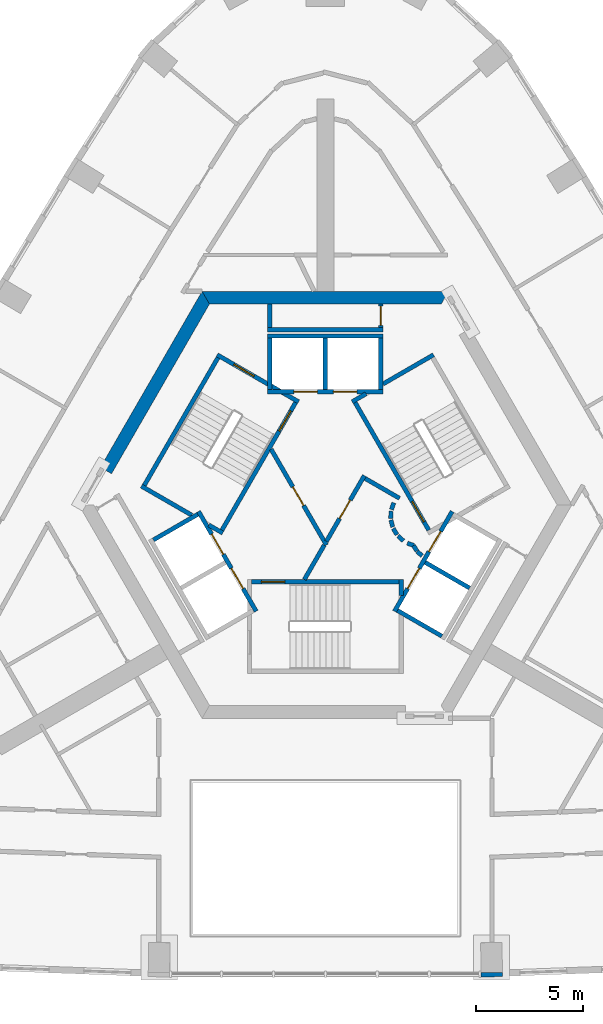
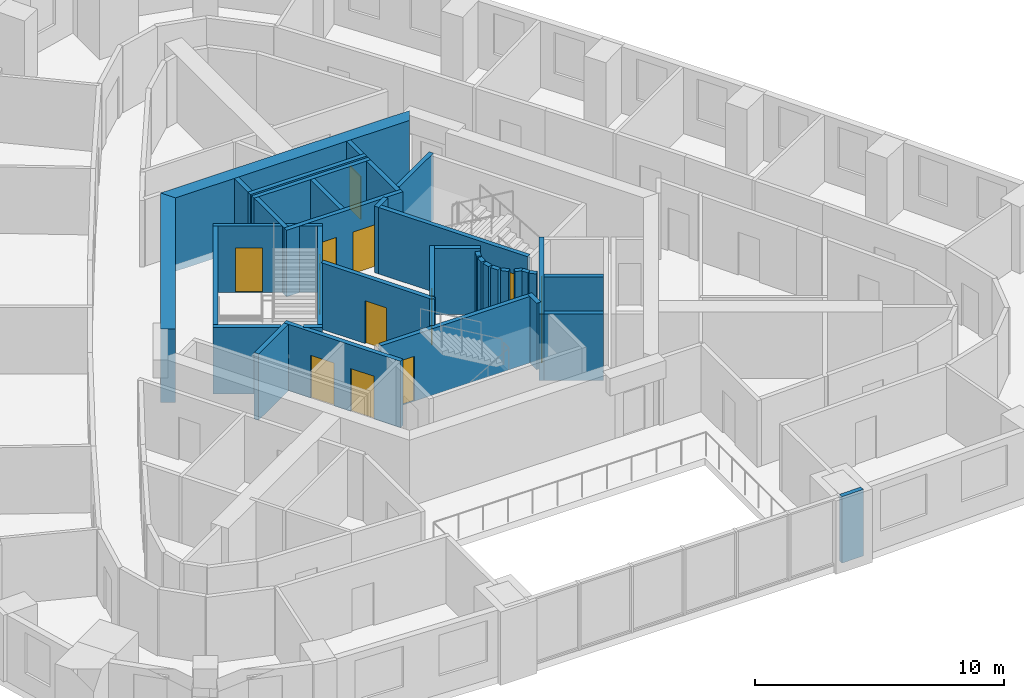
# One storey, part 5 of 10: 38 walls, 13 doors, 13 openings.
"""IFC4 building model written with IfcOpenShell, lengths in metres."""

from ifc_helpers import new_model, si_unit, direction, frame, frame_2d, origin, place, context, subcontext, project, spatial, polyline, rectangle, outline, extrude, material, layer, layer_set, type_object, element, fill, save


model = new_model("IFC4")

# Units and contexts
model_context = context("Model", 3, precision=1e-05, world=origin(), true_north=direction((0.0, 1.0)))
body_context = subcontext(model_context, "Body", "Model", "MODEL_VIEW")
ifc_project = project(units=[si_unit("LENGTHUNIT", "METRE"), si_unit("AREAUNIT", "SQUARE_METRE"), si_unit("VOLUMEUNIT", "CUBIC_METRE"), si_unit("PLANEANGLEUNIT", "RADIAN"), si_unit("MASSUNIT", "GRAM", prefix="KILO")], contexts=[model_context])

# Site, building, storey
site_placement = place(None, origin())
site = spatial("IfcSite", under=ifc_project, at=site_placement, CompositionType="ELEMENT")
building_placement = place(site_placement, origin())
building = spatial("IfcBuilding", under=site, at=building_placement, Name="Entoto Arch Interchange Tower", CompositionType="ELEMENT")
storey_placement = place(building_placement, frame((0.0, 0.0, 245.0)))
storey = spatial("IfcBuildingStorey", under=building, at=storey_placement, Name="L55", CompositionType="ELEMENT", Elevation=245.0)

# Walls
ifc_material_1 = material(Name="Concrete C40/50", Category="concrete")
ifc_layer_1 = layer(ifc_material_1, 0.60009765625)
ifc_layer_set_1 = layer_set([ifc_layer_1], Name="Concrete C40/50")
wall_type_1 = type_object("IfcWallType", Name="Core wall 600 C40/50", PredefinedType="SHEAR", material=ifc_layer_set_1)
wall_1_placement = place(storey_placement, frame((0.0, 0.0, -0.340087890625)))
element("IfcWall", 1, at=wall_1_placement, inside=storey, type_object=wall_type_1, Name="Core wall N L55", PredefinedType="SHEAR", context=body_context, shape_type="SweptSolid", body=[
    extrude(outline(polyline([(5.77392578125, 12.5), (-5.77392578125, 12.5), (-5.427001953125, 11.89990234375), (5.427001953125, 11.89990234375), (5.77392578125, 12.5)])), origin(), (0.0, 0.0, 1.0), 3.60009765625),
])
wall_2_placement = place(storey_placement, frame((0.0, 0.0, -0.340087890625)))
element("IfcWall", 2, at=wall_2_placement, inside=storey, type_object=wall_type_1, Name="Core wall NW L55", PredefinedType="SHEAR", context=body_context, shape_type="SweptSolid", body=[
    extrude(outline(polyline([(-10.534912109375, 4.2529296875), (-10.014892578125, 3.952880859375), (-5.427001953125, 11.89990234375), (-5.77392578125, 12.5), (-10.534912109375, 4.2529296875)])), origin(), (0.0, 0.0, 1.0), 3.60009765625),
])

# Wall, openings, doors
ifc_layer_2 = layer(ifc_material_1, 0.199951171875)
ifc_layer_set_2 = layer_set([ifc_layer_2], Name="Concrete C40/50")
wall_type_2 = type_object("IfcWallType", Name="LIFT SHAFT WALL 200", PredefinedType="STANDARD", material=ifc_layer_set_2)
wall_3_placement = place(storey_placement, frame((2.699951171875, 7.800048828125, 0.0), z_axis=(0.0, 0.0, 1.0), x_axis=(-1.0, 0.0, 0.0)))
wall_3 = element("IfcWall", 3, at=wall_3_placement, inside=storey, type_object=wall_type_2, Name="Shaft wall N1 front", PredefinedType="STANDARD", context=body_context, shape_type="SweptSolid", body=[
    extrude(rectangle(XDim=5.39990234375, YDim=0.199951171875, at=frame_2d((2.699951171875, 0.0))), origin(), (0.0, 0.0, 1.0), 3.260009765625),
])
opening_1_placement = place(wall_3_placement, frame((1.22509765625, 0.0, 0.0)))
opening_1 = element("IfcOpeningElement", 4, at=opening_1_placement, cuts=wall_3, Name="Opening LD-HR1-L55", PredefinedType="OPENING", context=body_context, shape_type="SweptSolid", body=[
    extrude(rectangle(XDim=1.10009765625, YDim=2.10009765625, at=frame_2d((0.550048828125, 1.050048828125))), frame((0.0, 0.10986328125, 0.0), z_axis=(0.0, -1.0, 0.0), x_axis=(1.0, 0.0, 0.0)), (0.0, 0.0, 1.0), 0.219970703125),
])
opening_2_placement = place(wall_3_placement, frame((3.074951171875, 0.0, 0.0)))
opening_2 = element("IfcOpeningElement", 5, at=opening_2_placement, cuts=wall_3, Name="Opening LD-HR2-L55", PredefinedType="OPENING", context=body_context, shape_type="SweptSolid", body=[
    extrude(rectangle(XDim=1.10009765625, YDim=2.10009765625, at=frame_2d((0.550048828125, 1.050048828125))), frame((0.0, 0.10986328125, 0.0), z_axis=(0.0, -1.0, 0.0), x_axis=(1.0, 0.0, 0.0)), (0.0, 0.0, 1.0), 0.219970703125),
])
ifc_material_2 = material(Name="Stainless steel 1.4301 panels", Category="steel")
door_type_1 = type_object("IfcDoorType", Name="LIFT LANDING DOOR LD1 1100x2100", OperationType="SLIDING_TO_LEFT", PredefinedType="DOOR", material=ifc_material_2)
door_1_placement = place(opening_1_placement, origin())
door_1 = element("IfcDoor", 6, at=door_1_placement, inside=storey, type_object=door_type_1, Name="Lift landing door HR1 L55", OperationType="SLIDING_TO_LEFT", OverallHeight=2.10009765625, OverallWidth=1.10009765625, PredefinedType="DOOR", context=body_context, shape_type="SweptSolid", body=[
    extrude(rectangle(XDim=1.10009765625, YDim=2.10009765625, at=frame_2d((0.550048828125, 1.050048828125))), frame((0.0, 0.02490234375, 0.0), z_axis=(0.0, -1.0, 0.0), x_axis=(1.0, 0.0, 0.0)), (0.0, 0.0, 1.0), 0.050048828125),
])
fill(opening_1, door_1)
door_2_placement = place(opening_2_placement, origin())
door_2 = element("IfcDoor", 7, at=door_2_placement, inside=storey, type_object=door_type_1, Name="Lift landing door HR2 L55", OperationType="SLIDING_TO_LEFT", OverallHeight=2.10009765625, OverallWidth=1.10009765625, PredefinedType="DOOR", context=body_context, shape_type="SweptSolid", body=[
    extrude(rectangle(XDim=1.10009765625, YDim=2.10009765625, at=frame_2d((0.550048828125, 1.050048828125))), frame((0.0, 0.02490234375, 0.0), z_axis=(0.0, -1.0, 0.0), x_axis=(1.0, 0.0, 0.0)), (0.0, 0.0, 1.0), 0.050048828125),
])
fill(opening_2, door_2)

# Walls
wall_4_placement = place(storey_placement, frame((2.699951171875, 10.39990234375, 0.0), z_axis=(0.0, 0.0, 1.0), x_axis=(-1.0, 0.0, 0.0)))
element("IfcWall", 8, at=wall_4_placement, inside=storey, type_object=wall_type_2, Name="Shaft wall N1 back", PredefinedType="STANDARD", context=body_context, shape_type="SweptSolid", body=[
    extrude(rectangle(XDim=5.39990234375, YDim=0.199951171875, at=frame_2d((2.699951171875, 0.0))), origin(), (0.0, 0.0, 1.0), 3.260009765625),
])
for number, where, z_axis, x_axis, name in (
    (9, (2.60009765625, 7.89990234375, 0.0), (0.0, 0.0, 1.0), (0.0, 1.0, 0.0), "Shaft wall N1 cross 1"),
    (10, (0.0, 7.89990234375, 0.0), (0.0, 0.0, 1.0), (0.0, 1.0, 0.0), "Shaft wall N1 cross 2"),
    (11, (-2.60009765625, 7.89990234375, 0.0), (0.0, 0.0, 1.0), (0.0, 1.0, 0.0), "Shaft wall N1 cross 3"),
):
    element("IfcWall", number, at=place(storey_placement, frame(where, z_axis=z_axis, x_axis=x_axis)), inside=storey, type_object=wall_type_2, Name=name, PredefinedType="STANDARD", context=body_context, shape_type="SweptSolid", body=[
        extrude(rectangle(XDim=2.400146484375, YDim=0.199951171875, at=frame_2d((1.2001953125, 0.0))), origin(), (0.0, 0.0, 1.0), 3.260009765625),
    ])

# Wall, openings, doors
wall_5_placement = place(storey_placement, frame((-5.93994140625, 2.18798828125, 0.0), z_axis=(0.0, 0.0, 1.0), x_axis=(0.500034260056, -0.866005622828, 0.0)))
wall_5 = element("IfcWall", 12, at=wall_5_placement, inside=storey, type_object=wall_type_2, Name="Shaft wall SW1 front", PredefinedType="STANDARD", context=body_context, shape_type="SweptSolid", body=[
    extrude(rectangle(XDim=5.3994140625, YDim=0.199951171875, at=frame_2d((2.69970703125, 0.0))), origin(), (0.0, 0.0, 1.0), 3.260009765625),
])
opening_3_placement = place(wall_5_placement, frame((3.074951171875, 0.0, 0.0)))
opening_3 = element("IfcOpeningElement", 13, at=opening_3_placement, cuts=wall_5, Name="Opening LD-HR4-L55", PredefinedType="OPENING", context=body_context, shape_type="SweptSolid", body=[
    extrude(rectangle(XDim=1.10009765625, YDim=2.10009765625, at=frame_2d((0.550048828125, 1.050048828125))), frame((0.0, 0.10986328125, 0.0), z_axis=(0.0, -1.0, 0.0), x_axis=(1.0, 0.0, 0.0)), (0.0, 0.0, 1.0), 0.219970703125),
])
opening_4_placement = place(wall_5_placement, frame((1.22509765625, 0.0, 0.0)))
opening_4 = element("IfcOpeningElement", 14, at=opening_4_placement, cuts=wall_5, Name="Opening LD-FF2-L55", PredefinedType="OPENING", context=body_context, shape_type="SweptSolid", body=[
    extrude(rectangle(XDim=1.10009765625, YDim=2.10009765625, at=frame_2d((0.550048828125, 1.050048828125))), frame((0.0, 0.10986328125, 0.0), z_axis=(0.0, -1.0, 0.0), x_axis=(1.0, 0.0, 0.0)), (0.0, 0.0, 1.0), 0.219970703125),
])
door_3_placement = place(opening_3_placement, origin())
door_3 = element("IfcDoor", 15, at=door_3_placement, inside=storey, type_object=door_type_1, Name="Lift landing door HR4 L55", OperationType="SLIDING_TO_LEFT", OverallHeight=2.10009765625, OverallWidth=1.10009765625, PredefinedType="DOOR", context=body_context, shape_type="SweptSolid", body=[
    extrude(rectangle(XDim=1.10009765625, YDim=2.10009765625, at=frame_2d((0.550048828125, 1.050048828125))), frame((0.0, 0.02490234375, 0.0), z_axis=(0.0, -1.0, 0.0), x_axis=(1.0, 0.0, 0.0)), (0.0, 0.0, 1.0), 0.050048828125),
])
fill(opening_3, door_3)
door_4_placement = place(opening_4_placement, origin())
door_4 = element("IfcDoor", 16, at=door_4_placement, inside=storey, type_object=door_type_1, Name="Lift landing door FF2 L55", OperationType="SLIDING_TO_LEFT", OverallHeight=2.10009765625, OverallWidth=1.10009765625, PredefinedType="DOOR", context=body_context, shape_type="SweptSolid", body=[
    extrude(rectangle(XDim=1.10009765625, YDim=2.10009765625, at=frame_2d((0.550048828125, 1.050048828125))), frame((0.0, 0.02490234375, 0.0), z_axis=(0.0, -1.0, 0.0), x_axis=(1.0, 0.0, 0.0)), (0.0, 0.0, 1.0), 0.050048828125),
])
fill(opening_4, door_4)

# Wall
wall_6_placement = place(storey_placement, frame((-5.97705078125, 2.052001953125, 0.0), z_axis=(0.0, 0.0, 1.0), x_axis=(-0.865973769406, -0.500089422704, 0.0)))
element("IfcWall", 17, at=wall_6_placement, inside=storey, type_object=wall_type_2, Name="Shaft wall SW1 cross 1", PredefinedType="STANDARD", context=body_context, shape_type="SweptSolid", body=[
    extrude(rectangle(XDim=2.3994140625, YDim=0.199951171875, at=frame_2d((1.19970703125, 0.0))), origin(), (0.0, 0.0, 1.0), 3.260009765625),
])

# Wall, openings, doors
wall_7_placement = place(storey_placement, frame((3.239990234375, -2.488037109375, 0.0), z_axis=(0.0, 0.0, 1.0), x_axis=(0.500034260056, 0.866005622828, 0.0)))
wall_7 = element("IfcWall", 18, at=wall_7_placement, inside=storey, type_object=wall_type_2, Name="Shaft wall SE1 front", PredefinedType="STANDARD", context=body_context, shape_type="SweptSolid", body=[
    extrude(rectangle(XDim=5.3994140625, YDim=0.199951171875, at=frame_2d((2.69970703125, 0.0))), origin(), (0.0, 0.0, 1.0), 3.260009765625),
])
opening_5_placement = place(wall_7_placement, frame((3.22509765625, 0.0, 0.0)))
opening_5 = element("IfcOpeningElement", 19, at=opening_5_placement, cuts=wall_7, Name="Opening LD-HR3-L55", PredefinedType="OPENING", context=body_context, shape_type="SweptSolid", body=[
    extrude(rectangle(XDim=1.10009765625, YDim=2.10009765625, at=frame_2d((0.550048828125, 1.050048828125))), frame((0.0, 0.10986328125, 0.0), z_axis=(0.0, -1.0, 0.0), x_axis=(1.0, 0.0, 0.0)), (0.0, 0.0, 1.0), 0.219970703125),
])
opening_6_placement = place(wall_7_placement, frame((1.22509765625, 0.0, 0.0)))
opening_6 = element("IfcOpeningElement", 20, at=opening_6_placement, cuts=wall_7, Name="Opening LD-FF1-L55", PredefinedType="OPENING", context=body_context, shape_type="SweptSolid", body=[
    extrude(rectangle(XDim=1.10009765625, YDim=2.10009765625, at=frame_2d((0.550048828125, 1.050048828125))), frame((0.0, 0.10986328125, 0.0), z_axis=(0.0, -1.0, 0.0), x_axis=(1.0, 0.0, 0.0)), (0.0, 0.0, 1.0), 0.219970703125),
])
door_5_placement = place(opening_5_placement, origin())
door_5 = element("IfcDoor", 21, at=door_5_placement, inside=storey, type_object=door_type_1, Name="Lift landing door HR3 L55", OperationType="SLIDING_TO_LEFT", OverallHeight=2.10009765625, OverallWidth=1.10009765625, PredefinedType="DOOR", context=body_context, shape_type="SweptSolid", body=[
    extrude(rectangle(XDim=1.10009765625, YDim=2.10009765625, at=frame_2d((0.550048828125, 1.050048828125))), frame((0.0, 0.02490234375, 0.0), z_axis=(0.0, -1.0, 0.0), x_axis=(1.0, 0.0, 0.0)), (0.0, 0.0, 1.0), 0.050048828125),
])
fill(opening_5, door_5)
door_6_placement = place(opening_6_placement, origin())
door_6 = element("IfcDoor", 22, at=door_6_placement, inside=storey, type_object=door_type_1, Name="Lift landing door FF1 L55", OperationType="SLIDING_TO_LEFT", OverallHeight=2.10009765625, OverallWidth=1.10009765625, PredefinedType="DOOR", context=body_context, shape_type="SweptSolid", body=[
    extrude(rectangle(XDim=1.10009765625, YDim=2.10009765625, at=frame_2d((0.550048828125, 1.050048828125))), frame((0.0, 0.02490234375, 0.0), z_axis=(0.0, -1.0, 0.0), x_axis=(1.0, 0.0, 0.0)), (0.0, 0.0, 1.0), 0.050048828125),
])
fill(opening_6, door_6)

# Walls
wall_8_placement = place(storey_placement, frame((3.376953125, -2.451904296875, 0.0), z_axis=(0.0, 0.0, 1.0), x_axis=(0.865955154139, -0.50012165622, 0.0)))
element("IfcWall", 23, at=wall_8_placement, inside=storey, type_object=wall_type_2, Name="Shaft wall SE1 cross 1", PredefinedType="STANDARD", context=body_context, shape_type="SweptSolid", body=[
    extrude(rectangle(XDim=2.39990234375, YDim=0.199951171875, at=frame_2d((1.199951171875, 0.0))), origin(), (0.0, 0.0, 1.0), 3.260009765625),
])
wall_9_placement = place(storey_placement, frame((4.677001953125, -0.199951171875, 0.0), z_axis=(0.0, 0.0, 1.0), x_axis=(0.865973769406, -0.500089422704, 0.0)))
element("IfcWall", 24, at=wall_9_placement, inside=storey, type_object=wall_type_2, Name="Shaft wall SE1 cross 2", PredefinedType="STANDARD", context=body_context, shape_type="SweptSolid", body=[
    extrude(rectangle(XDim=2.3994140625, YDim=0.199951171875, at=frame_2d((1.19970703125, 0.0))), origin(), (0.0, 0.0, 1.0), 3.260009765625),
])
ifc_material_3 = material(Name="Gypsum board partition on steel studs", Category="steel")
ifc_layer_3 = layer(ifc_material_3, 0.199951171875)
ifc_layer_set_3 = layer_set([ifc_layer_3], Name="Gypsum board partition on steel studs")
wall_type_3 = type_object("IfcWallType", Name="PARTITION 200", PredefinedType="PARTITIONING", material=ifc_layer_set_3)
wall_10_placement = place(storey_placement, frame((-2.60009765625, 10.800048828125, 0.0), z_axis=(0.0, 0.0, 1.0), x_axis=(0.0, 1.0, 0.0)))
element("IfcWall", 25, at=wall_10_placement, inside=storey, type_object=wall_type_3, Name="wall:L55:p062", PredefinedType="PARTITIONING", context=body_context, shape_type="SweptSolid", body=[
    extrude(rectangle(XDim=1.099853515625, YDim=0.199951171875, at=frame_2d((0.5498046875, 0.0))), origin(), (0.0, 0.0, 1.0), 3.260009765625),
])

# Wall, opening, door
wall_11_placement = place(storey_placement, frame((2.60009765625, 11.89990234375, 0.0), z_axis=(0.0, 0.0, 1.0), x_axis=(0.0, -1.0, 0.0)))
wall_11 = element("IfcWall", 26, at=wall_11_placement, inside=storey, type_object=wall_type_3, Name="wall:L55:p063", PredefinedType="PARTITIONING", context=body_context, shape_type="SweptSolid", body=[
    extrude(rectangle(XDim=1.099853515625, YDim=0.199951171875, at=frame_2d((0.5498046875, 0.0))), origin(), (0.0, 0.0, 1.0), 3.260009765625),
])
opening_7_placement = place(wall_11_placement, frame((0.10009765625, 0.0, 0.0)))
opening_7 = element("IfcOpeningElement", 27, at=opening_7_placement, cuts=wall_11, Name="Opening L55-D28", PredefinedType="OPENING", context=body_context, shape_type="SweptSolid", body=[
    extrude(rectangle(XDim=0.89990234375, YDim=2.10009765625, at=frame_2d((0.449951171875, 1.050048828125))), frame((0.0, 0.10986328125, 0.0), z_axis=(0.0, -1.0, 0.0), x_axis=(1.0, 0.0, 0.0)), (0.0, 0.0, 1.0), 0.219970703125),
])
ifc_material_4 = material(Name="Timber door leaf in Steel S235 frame", Category="steel")
door_type_2 = type_object("IfcDoorType", Name="DOOR DS-09 900x2100", OperationType="SINGLE_SWING_LEFT", PredefinedType="DOOR", material=ifc_material_4)
door_7_placement = place(opening_7_placement, origin())
door_7 = element("IfcDoor", 28, at=door_7_placement, inside=storey, type_object=door_type_2, Name="door:L55:28", OperationType="SINGLE_SWING_LEFT", OverallHeight=2.10009765625, OverallWidth=0.89990234375, PredefinedType="DOOR", context=body_context, shape_type="SweptSolid", body=[
    extrude(rectangle(XDim=0.89990234375, YDim=2.10009765625, at=frame_2d((0.449951171875, 1.050048828125))), frame((0.0, 0.02490234375, 0.0), z_axis=(0.0, -1.0, 0.0), x_axis=(1.0, 0.0, 0.0)), (0.0, 0.0, 1.0), 0.050048828125),
])
fill(opening_7, door_7)

# Walls
wall_12_placement = place(storey_placement, frame((2.699951171875, 10.699951171875, 0.0), z_axis=(0.0, 0.0, 1.0), x_axis=(-1.0, 0.0, 0.0)))
element("IfcWall", 29, at=wall_12_placement, inside=storey, type_object=wall_type_3, Name="wall:L55:p064", PredefinedType="PARTITIONING", context=body_context, shape_type="SweptSolid", body=[
    extrude(rectangle(XDim=5.39990234375, YDim=0.199951171875, at=frame_2d((2.699951171875, 0.0))), origin(), (0.0, 0.0, 1.0), 3.260009765625),
])
wall_13_placement = place(storey_placement, frame((-0.98193359375, -1.0, 0.0), z_axis=(0.0, 0.0, 1.0), x_axis=(0.50024047865, 0.865886518847, 0.0)))
element("IfcWall", 30, at=wall_13_placement, inside=storey, type_object=wall_type_3, Name="wall:L55:p075", PredefinedType="PARTITIONING", context=body_context, shape_type="SweptSolid", body=[
    extrude(rectangle(XDim=1.86279296875, YDim=0.199951171875, at=frame_2d((0.931396484375, 0.0))), origin(), (0.0, 0.0, 1.0), 3.260009765625),
])

# Wall, opening, door
wall_14_placement = place(storey_placement, frame((0.050048828125, 0.787109375, 0.0), z_axis=(0.0, 0.0, 1.0), x_axis=(0.499954076797, 0.866051915934, 0.0)))
wall_14 = element("IfcWall", 31, at=wall_14_placement, inside=storey, type_object=wall_type_3, Name="wall:L55:p076", PredefinedType="PARTITIONING", context=body_context, shape_type="SweptSolid", body=[
    extrude(rectangle(XDim=3.558349609375, YDim=0.199951171875, at=frame_2d((1.779296875, 0.0))), origin(), (0.0, 0.0, 1.0), 3.260009765625),
])
opening_8_placement = place(wall_14_placement, frame((1.22900390625, 0.0, 0.0)))
opening_8 = element("IfcOpeningElement", 32, at=opening_8_placement, cuts=wall_14, Name="Opening L55-D26", PredefinedType="OPENING", context=body_context, shape_type="SweptSolid", body=[
    extrude(rectangle(XDim=1.0, YDim=2.10009765625, at=frame_2d((0.5, 1.050048828125))), frame((0.0, 0.10986328125, 0.0), z_axis=(0.0, -1.0, 0.0), x_axis=(1.0, 0.0, 0.0)), (0.0, 0.0, 1.0), 0.219970703125),
])
ifc_material_5 = material(Name="Fire-rated Steel S235 door and frame", Category="steel")
door_type_3 = type_object("IfcDoorType", Name="DOOR FD-10 1000x2100", OperationType="SINGLE_SWING_LEFT", PredefinedType="DOOR", material=ifc_material_5)
door_8_placement = place(opening_8_placement, origin())
door_8 = element("IfcDoor", 33, at=door_8_placement, inside=storey, type_object=door_type_3, Name="door:L55:26", OperationType="SINGLE_SWING_RIGHT", OverallHeight=2.10009765625, OverallWidth=1.0, PredefinedType="DOOR", context=body_context, shape_type="SweptSolid", body=[
    extrude(rectangle(XDim=1.0, YDim=2.10009765625, at=frame_2d((0.5, 1.050048828125))), frame((0.0, 0.02490234375, 0.0), z_axis=(0.0, -1.0, 0.0), x_axis=(1.0, 0.0, 0.0)), (0.0, 0.0, 1.0), 0.050048828125),
])
fill(opening_8, door_8)

# Walls
wall_15_placement = place(storey_placement, frame((1.865966796875, 3.73193359375, 0.0), z_axis=(0.0, 0.0, 1.0), x_axis=(0.866043361281, -0.499968895414, 0.0)))
element("IfcWall", 34, at=wall_15_placement, inside=storey, type_object=wall_type_3, Name="wall:L55:p077", PredefinedType="PARTITIONING", context=body_context, shape_type="SweptSolid", body=[
    extrude(rectangle(XDim=1.85791015625, YDim=0.199951171875, at=frame_2d((0.928955078125, 0.0))), origin(), (0.0, 0.0, 1.0), 3.260009765625),
])
wall_16_placement = place(storey_placement, frame((3.2080078125, 2.592041015625, 0.0), z_axis=(0.0, 0.0, 1.0), x_axis=(-0.337388820924, -0.941365382578, 0.0)))
element("IfcWall", 35, at=wall_16_placement, inside=storey, type_object=wall_type_3, Name="wall:L55:p078", PredefinedType="PARTITIONING", context=body_context, shape_type="SweptSolid", body=[
    extrude(rectangle(XDim=0.337890625, YDim=0.199951171875, at=frame_2d((0.1689453125, 0.0))), origin(), (0.0, 0.0, 1.0), 3.260009765625),
])
wall_17_placement = place(storey_placement, frame((3.0791015625, 2.198974609375, 0.0), z_axis=(0.0, 0.0, 1.0), x_axis=(-0.047771483479, -0.998858290933, 0.0)))
element("IfcWall", 36, at=wall_17_placement, inside=storey, type_object=wall_type_3, Name="wall:L55:p079", PredefinedType="PARTITIONING", context=body_context, shape_type="SweptSolid", body=[
    extrude(rectangle(XDim=0.33740234375, YDim=0.199951171875, at=frame_2d((0.168701171875, 0.0))), origin(), (0.0, 0.0, 1.0), 3.260009765625),
])
wall_18_placement = place(storey_placement, frame((3.070068359375, 1.785888671875, 0.0), z_axis=(0.0, 0.0, 1.0), x_axis=(0.242705583207, -0.970099994784, 0.0)))
element("IfcWall", 37, at=wall_18_placement, inside=storey, type_object=wall_type_3, Name="wall:L55:p080", PredefinedType="PARTITIONING", context=body_context, shape_type="SweptSolid", body=[
    extrude(rectangle(XDim=0.337890625, YDim=0.199951171875, at=frame_2d((0.1689453125, 0.0))), origin(), (0.0, 0.0, 1.0), 3.260009765625),
])
for number, where, z_axis, x_axis, name in (
    (38, (3.181884765625, 1.387939453125, 0.0), (0.0, 0.0, 1.0), (0.512474702713, -0.85870232274, 0.0), "wall:L55:p081"),
    (39, (3.404052734375, 1.0390625, 0.0), (0.0, 0.0, 1.0), (0.740267097712, -0.672312891476, 0.0), "wall:L55:p082"),
):
    element("IfcWall", number, at=place(storey_placement, frame(where, z_axis=z_axis, x_axis=x_axis)), inside=storey, type_object=wall_type_3, Name=name, PredefinedType="PARTITIONING", context=body_context, shape_type="SweptSolid", body=[
        extrude(rectangle(XDim=0.337646484375, YDim=0.199951171875, at=frame_2d((0.1689453125, 0.0))), origin(), (0.0, 0.0, 1.0), 3.260009765625),
    ])
wall_19_placement = place(storey_placement, frame((3.837890625, 0.701904296875, 0.0), z_axis=(0.0, 0.0, 1.0), x_axis=(0.941035081519, -0.338308993895, 0.0)))
element("IfcWall", 40, at=wall_19_placement, inside=storey, type_object=wall_type_3, Name="wall:L55:p083", PredefinedType="PARTITIONING", context=body_context, shape_type="SweptSolid", body=[
    extrude(rectangle(XDim=0.3369140625, YDim=0.199951171875, at=frame_2d((0.16845703125, 0.0))), origin(), (0.0, 0.0, 1.0), 3.260009765625),
])
wall_20_placement = place(storey_placement, frame((4.132080078125, 0.593017578125, 0.0), z_axis=(0.0, 0.0, 1.0), x_axis=(0.513561617048, -0.858052717201, 0.0)))
element("IfcWall", 41, at=wall_20_placement, inside=storey, type_object=wall_type_3, Name="wall:L55:p084", PredefinedType="PARTITIONING", context=body_context, shape_type="SweptSolid", body=[
    extrude(rectangle(XDim=0.3076171875, YDim=0.199951171875, at=frame_2d((0.15380859375, 0.0))), origin(), (0.0, 0.0, 1.0), 3.260009765625),
])
wall_21_placement = place(storey_placement, frame((4.301025390625, 0.31494140625, 0.0), z_axis=(0.0, 0.0, 1.0), x_axis=(0.741798017506, -0.670623367639, 0.0)))
element("IfcWall", 42, at=wall_21_placement, inside=storey, type_object=wall_type_3, Name="wall:L55:p085", PredefinedType="PARTITIONING", context=body_context, shape_type="SweptSolid", body=[
    extrude(rectangle(XDim=0.30859375, YDim=0.199951171875, at=frame_2d((0.154296875, 0.0))), origin(), (0.0, 0.0, 1.0), 3.260009765625),
])

# Wall, opening, door
wall_22_placement = place(storey_placement, frame((-2.5400390625, 5.10009765625, 0.0), z_axis=(0.0, 0.0, 1.0), x_axis=(0.499925051871, -0.866068670783, 0.0)))
wall_22 = element("IfcWall", 43, at=wall_22_placement, inside=storey, type_object=wall_type_3, Name="wall:L55:p086", PredefinedType="PARTITIONING", context=body_context, shape_type="SweptSolid", body=[
    extrude(rectangle(XDim=5.180908203125, YDim=0.199951171875, at=frame_2d((2.59033203125, 0.0))), origin(), (0.0, 0.0, 1.0), 3.260009765625),
])
opening_9_placement = place(wall_22_placement, frame((2.0400390625, 0.0, 0.0)))
opening_9 = element("IfcOpeningElement", 44, at=opening_9_placement, cuts=wall_22, Name="Opening L55-D27", PredefinedType="OPENING", context=body_context, shape_type="SweptSolid", body=[
    extrude(rectangle(XDim=1.0, YDim=2.10009765625, at=frame_2d((0.5, 1.050048828125))), frame((0.0, 0.10986328125, 0.0), z_axis=(0.0, -1.0, 0.0), x_axis=(1.0, 0.0, 0.0)), (0.0, 0.0, 1.0), 0.219970703125),
])
door_9_placement = place(opening_9_placement, origin())
door_9 = element("IfcDoor", 45, at=door_9_placement, inside=storey, type_object=door_type_3, Name="door:L55:27", OperationType="SINGLE_SWING_RIGHT", OverallHeight=2.10009765625, OverallWidth=1.0, PredefinedType="DOOR", context=body_context, shape_type="SweptSolid", body=[
    extrude(rectangle(XDim=1.0, YDim=2.10009765625, at=frame_2d((0.5, 1.050048828125))), frame((0.0, 0.02490234375, 0.0), z_axis=(0.0, -1.0, 0.0), x_axis=(1.0, 0.0, 0.0)), (0.0, 0.0, 1.0), 0.050048828125),
])
fill(opening_9, door_9)

# Wall
ifc_layer_4 = layer(ifc_material_1, 0.199951171875)
ifc_layer_set_4 = layer_set([ifc_layer_4], Name="Concrete C40/50")
wall_type_4 = type_object("IfcWallType", Name="STAIR ENCLOSURE WALL 200", PredefinedType="STANDARD", material=ifc_layer_set_4)
wall_23_placement = place(storey_placement, frame((3.550048828125, -1.0, 0.0), z_axis=(0.0, 0.0, 1.0), x_axis=(0.0, -1.0, 0.0)))
element("IfcWall", 46, at=wall_23_placement, inside=storey, type_object=wall_type_4, Name="Stair wall ST-S far return", PredefinedType="STANDARD", context=body_context, shape_type="SweptSolid", body=[
    extrude(rectangle(XDim=0.7509765625, YDim=0.199951171875, at=frame_2d((0.37548828125, 0.0))), origin(), (0.0, 0.0, 1.0), 3.260009765625),
])

# Wall, opening, door
wall_24_placement = place(storey_placement, frame((-3.449951171875, -1.10009765625, 0.0), z_axis=(0.0, 0.0, 1.0), x_axis=(1.0, 0.0, 0.0)))
wall_24 = element("IfcWall", 47, at=wall_24_placement, inside=storey, type_object=wall_type_4, Name="Stair wall ST-S hall", PredefinedType="STANDARD", context=body_context, shape_type="SweptSolid", body=[
    extrude(rectangle(XDim=6.89990234375, YDim=0.199951171875, at=frame_2d((3.449951171875, 0.0))), origin(), (0.0, 0.0, 1.0), 3.260009765625),
])
opening_10_placement = place(wall_24_placement, frame((0.449951171875, 0.0, 0.0)))
opening_10 = element("IfcOpeningElement", 48, at=opening_10_placement, cuts=wall_24, Name="Opening SD-ST-S-L55", PredefinedType="OPENING", context=body_context, shape_type="SweptSolid", body=[
    extrude(rectangle(XDim=1.10009765625, YDim=2.199951171875, at=frame_2d((0.550048828125, 1.10009765625))), frame((0.0, 0.10986328125, 0.0), z_axis=(0.0, -1.0, 0.0), x_axis=(1.0, 0.0, 0.0)), (0.0, 0.0, 1.0), 0.219970703125),
])
ifc_material_6 = material(Name="Steel S235", Category="steel")
door_type_4 = type_object("IfcDoorType", Name="STAIR DOOR SD1 1100x2200", OperationType="SINGLE_SWING_LEFT", PredefinedType="DOOR", material=ifc_material_6)
door_10_placement = place(opening_10_placement, origin())
door_10 = element("IfcDoor", 49, at=door_10_placement, inside=storey, type_object=door_type_4, Name="Stair door ST-S L55", OperationType="SINGLE_SWING_LEFT", OverallHeight=2.199951171875, OverallWidth=1.10009765625, PredefinedType="DOOR", context=body_context, shape_type="SweptSolid", body=[
    extrude(rectangle(XDim=1.10009765625, YDim=2.199951171875, at=frame_2d((0.550048828125, 1.10009765625))), frame((0.0, 0.02490234375, 0.0), z_axis=(0.0, -1.0, 0.0), x_axis=(1.0, 0.0, 0.0)), (0.0, 0.0, 1.0), 0.050048828125),
])
fill(opening_10, door_10)

# Walls
wall_25_placement = place(storey_placement, frame((2.699951171875, 8.157958984375, 0.0), z_axis=(0.0, 0.0, 1.0), x_axis=(0.86611865017, 0.499838457731, 0.0)))
element("IfcWall", 50, at=wall_25_placement, inside=storey, type_object=wall_type_4, Name="Stair wall ST-NE far", PredefinedType="STANDARD", context=body_context, shape_type="SweptSolid", body=[
    extrude(rectangle(XDim=2.73291015625, YDim=0.199951171875, at=frame_2d((1.366455078125, 0.0))), origin(), (0.0, 0.0, 1.0), 3.260009765625),
])
wall_26_placement = place(storey_placement, frame((1.256103515625, 7.323974609375, 0.0), z_axis=(0.0, 0.0, 1.0), x_axis=(0.865915093549, 0.500191014278, 0.0)))
element("IfcWall", 51, at=wall_26_placement, inside=storey, type_object=wall_type_4, Name="Stair wall ST-NE far return", PredefinedType="STANDARD", context=body_context, shape_type="SweptSolid", body=[
    extrude(rectangle(XDim=0.751708984375, YDim=0.199951171875, at=frame_2d((0.3759765625, 0.0))), origin(), (0.0, 0.0, 1.0), 3.260009765625),
])

# Wall, opening, door
wall_27_placement = place(storey_placement, frame((4.843017578125, 1.31201171875, 0.0), z_axis=(0.0, 0.0, 1.0), x_axis=(-0.499963383562, 0.866046543262, 0.0)))
wall_27 = element("IfcWall", 52, at=wall_27_placement, inside=storey, type_object=wall_type_4, Name="Stair wall ST-NE hall", PredefinedType="STANDARD", context=body_context, shape_type="SweptSolid", body=[
    extrude(rectangle(XDim=6.900390625, YDim=0.199951171875, at=frame_2d((3.4501953125, 0.0))), origin(), (0.0, 0.0, 1.0), 3.260009765625),
])
opening_11_placement = place(wall_27_placement, frame((0.449951171875, 0.0, 0.0)))
opening_11 = element("IfcOpeningElement", 53, at=opening_11_placement, cuts=wall_27, Name="Opening SD-ST-NE-L55", PredefinedType="OPENING", context=body_context, shape_type="SweptSolid", body=[
    extrude(rectangle(XDim=1.10009765625, YDim=2.199951171875, at=frame_2d((0.550048828125, 1.10009765625))), frame((0.0, 0.10986328125, 0.0), z_axis=(0.0, -1.0, 0.0), x_axis=(1.0, 0.0, 0.0)), (0.0, 0.0, 1.0), 0.219970703125),
])
door_11_placement = place(opening_11_placement, origin())
door_11 = element("IfcDoor", 54, at=door_11_placement, inside=storey, type_object=door_type_4, Name="Stair door ST-NE L55", OperationType="SINGLE_SWING_LEFT", OverallHeight=2.199951171875, OverallWidth=1.10009765625, PredefinedType="DOOR", context=body_context, shape_type="SweptSolid", body=[
    extrude(rectangle(XDim=1.10009765625, YDim=2.199951171875, at=frame_2d((0.550048828125, 1.10009765625))), frame((0.0, 0.02490234375, 0.0), z_axis=(0.0, -1.0, 0.0), x_axis=(1.0, 0.0, 0.0)), (0.0, 0.0, 1.0), 0.050048828125),
])
fill(opening_11, door_11)

wall_28_placement = place(storey_placement, frame((-1.256103515625, 7.323974609375, 0.0), z_axis=(0.0, 0.0, 1.0), x_axis=(-0.866046073146, 0.499964197906, 0.0)))
wall_28 = element("IfcWall", 55, at=wall_28_placement, inside=storey, type_object=wall_type_4, Name="Stair wall ST-NW near", PredefinedType="STANDARD", context=body_context, shape_type="SweptSolid", body=[
    extrude(rectangle(XDim=4.400146484375, YDim=0.199951171875, at=frame_2d((2.2001953125, 0.0))), origin(), (0.0, 0.0, 1.0), 3.260009765625),
])
opening_12_placement = place(wall_28_placement, frame((2.39990234375, 0.0, 0.0)))
opening_12 = element("IfcOpeningElement", 56, at=opening_12_placement, cuts=wall_28, Name="Opening SD-ST-NW-L55-E", PredefinedType="OPENING", context=body_context, shape_type="SweptSolid", body=[
    extrude(rectangle(XDim=1.10009765625, YDim=2.199951171875, at=frame_2d((0.550048828125, 1.10009765625))), frame((0.0, 0.10986328125, 0.0), z_axis=(0.0, -1.0, 0.0), x_axis=(1.0, 0.0, 0.0)), (0.0, 0.0, 1.0), 0.219970703125),
])
door_12_placement = place(opening_12_placement, origin())
door_12 = element("IfcDoor", 57, at=door_12_placement, inside=storey, type_object=door_type_4, Name="Stair door ST-NW L55 end", OperationType="SINGLE_SWING_LEFT", OverallHeight=2.199951171875, OverallWidth=1.10009765625, PredefinedType="DOOR", context=body_context, shape_type="SweptSolid", body=[
    extrude(rectangle(XDim=1.10009765625, YDim=2.199951171875, at=frame_2d((0.550048828125, 1.10009765625))), frame((0.0, 0.02490234375, 0.0), z_axis=(0.0, -1.0, 0.0), x_axis=(1.0, 0.0, 0.0)), (0.0, 0.0, 1.0), 0.050048828125),
])
fill(opening_12, door_12)

# Walls
wall_29_placement = place(storey_placement, frame((-6.25, 2.010009765625, 0.0), z_axis=(0.0, 0.0, 1.0), x_axis=(-0.86611865017, 0.499838457731, 0.0)))
element("IfcWall", 58, at=wall_29_placement, inside=storey, type_object=wall_type_4, Name="Stair wall ST-NW far", PredefinedType="STANDARD", context=body_context, shape_type="SweptSolid", body=[
    extrude(rectangle(XDim=2.73291015625, YDim=0.199951171875, at=frame_2d((1.366455078125, 0.0))), origin(), (0.0, 0.0, 1.0), 3.260009765625),
])
wall_30_placement = place(storey_placement, frame((-4.805908203125, 1.176025390625, 0.0), z_axis=(0.0, 0.0, 1.0), x_axis=(-0.866558586415, 0.499075361355, 0.0)))
element("IfcWall", 59, at=wall_30_placement, inside=storey, type_object=wall_type_4, Name="Stair wall ST-NW far return", PredefinedType="STANDARD", context=body_context, shape_type="SweptSolid", body=[
    extrude(rectangle(XDim=0.75146484375, YDim=0.199951171875, at=frame_2d((0.375732421875, 0.0))), origin(), (0.0, 0.0, 1.0), 3.260009765625),
])

# Wall, opening, door
wall_31_placement = place(storey_placement, frame((-1.39306640625, 7.2880859375, 0.0), z_axis=(0.0, 0.0, 1.0), x_axis=(-0.499963383562, -0.866046543262, 0.0)))
wall_31 = element("IfcWall", 60, at=wall_31_placement, inside=storey, type_object=wall_type_4, Name="Stair wall ST-NW hall", PredefinedType="STANDARD", context=body_context, shape_type="SweptSolid", body=[
    extrude(rectangle(XDim=6.900390625, YDim=0.199951171875, at=frame_2d((3.4501953125, 0.0))), origin(), (0.0, 0.0, 1.0), 3.260009765625),
])
opening_13_placement = place(wall_31_placement, frame((0.449951171875, 0.0, 0.0)))
opening_13 = element("IfcOpeningElement", 61, at=opening_13_placement, cuts=wall_31, Name="Opening SD-ST-NW-L55", PredefinedType="OPENING", context=body_context, shape_type="SweptSolid", body=[
    extrude(rectangle(XDim=1.10009765625, YDim=2.199951171875, at=frame_2d((0.550048828125, 1.10009765625))), frame((0.0, 0.10986328125, 0.0), z_axis=(0.0, -1.0, 0.0), x_axis=(1.0, 0.0, 0.0)), (0.0, 0.0, 1.0), 0.219970703125),
])
door_13_placement = place(opening_13_placement, origin())
door_13 = element("IfcDoor", 62, at=door_13_placement, inside=storey, type_object=door_type_4, Name="Stair door ST-NW L55", OperationType="SINGLE_SWING_LEFT", OverallHeight=2.199951171875, OverallWidth=1.10009765625, PredefinedType="DOOR", context=body_context, shape_type="SweptSolid", body=[
    extrude(rectangle(XDim=1.10009765625, YDim=2.199951171875, at=frame_2d((0.550048828125, 1.10009765625))), frame((0.0, 0.02490234375, 0.0), z_axis=(0.0, -1.0, 0.0), x_axis=(1.0, 0.0, 0.0)), (0.0, 0.0, 1.0), 0.050048828125),
])
fill(opening_13, door_13)

# Walls
wall_32_placement = place(storey_placement, frame((-5.030029296875, 9.387939453125, 0.0), z_axis=(0.0, 0.0, 1.0), x_axis=(-0.499978703459, -0.866037698999, 0.0)))
element("IfcWall", 63, at=wall_32_placement, inside=storey, type_object=wall_type_4, Name="Stair wall ST-NW back", PredefinedType="STANDARD", context=body_context, shape_type="SweptSolid", body=[
    extrude(rectangle(XDim=6.900146484375, YDim=0.199951171875, at=frame_2d((3.4501953125, 0.0))), origin(), (0.0, 0.0, 1.0), 3.260009765625),
])
ifc_material_7 = material(Name="Welded tuff (ignimbrite) cladding, warm buff", Category="masonry")
ifc_layer_5 = layer(ifc_material_7, 0.199951171875)
ifc_layer_set_5 = layer_set([ifc_layer_5], Name="Welded tuff (ignimbrite) cladding, warm buff")
wall_type_5 = type_object("IfcWallType", Name="STONE PIER CLADDING 200", PredefinedType="STANDARD", material=ifc_layer_set_5)
wall_33_placement = place(storey_placement, frame((7.298095703125, -19.51708984375, 0.0), z_axis=(0.0, 0.0, 1.0), x_axis=(0.999836842422, 0.018063458579, 0.0)))
element("IfcWall", 64, at=wall_33_placement, inside=storey, type_object=wall_type_5, Name="Stone pier S03 L55", PredefinedType="STANDARD", context=body_context, shape_type="SweptSolid", body=[
    extrude(rectangle(XDim=1.000244140625, YDim=0.199951171875, at=frame_2d((0.5, 0.0))), origin(), (0.0, 0.0, 1.0), 3.260009765625),
])

save(model, "model.ifc")
